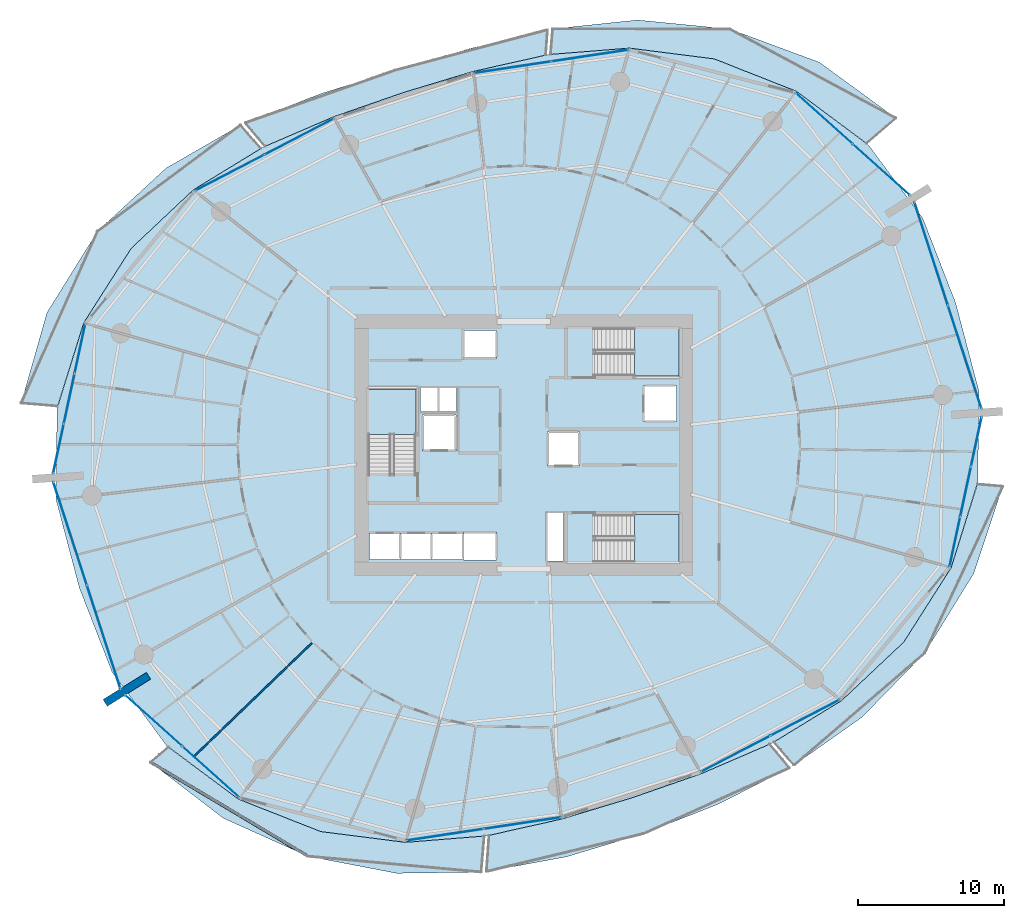
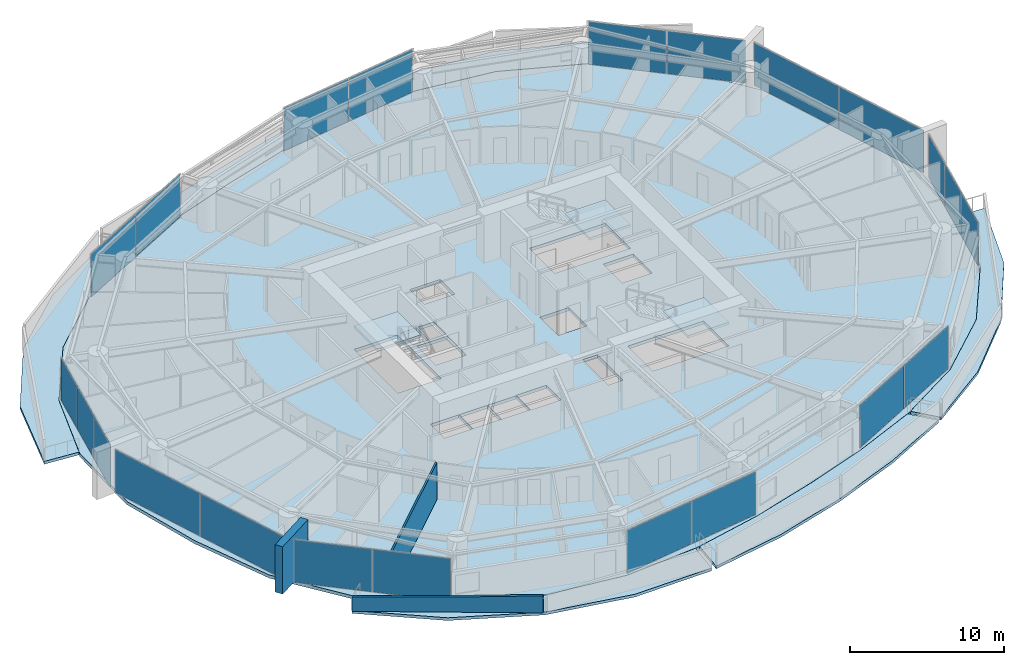
# One storey, part 18 of 31: 22 plates, 10 slabs, 3 walls, 13 elements without a shape of their own.
"""IFC4 building model written with IfcOpenShell, lengths in metres."""

from ifc_helpers import new_model, si_unit, direction, frame, frame_2d, origin, origin_2d, place, context, subcontext, project, spatial, polyline, rectangle, outline, extrude, material, layer, layer_set, type_object, element, aggregate, save


model = new_model("IFC4")

# Units and contexts
model_context = context("Model", 3, precision=1e-05, world=origin(), true_north=direction((0.0, 1.0)))
body_context = subcontext(model_context, "Body", "Model", "MODEL_VIEW")
ifc_project = project(units=[si_unit("LENGTHUNIT", "METRE"), si_unit("AREAUNIT", "SQUARE_METRE"), si_unit("VOLUMEUNIT", "CUBIC_METRE"), si_unit("PLANEANGLEUNIT", "RADIAN"), si_unit("MASSUNIT", "GRAM", prefix="KILO")], contexts=[model_context])

# Site, building, storey
site_placement = place(None, origin())
site = spatial("IfcSite", under=ifc_project, at=site_placement, CompositionType="ELEMENT")
building_placement = place(site_placement, origin())
building = spatial("IfcBuilding", under=site, at=building_placement, Name="Kazma Halo Residences", CompositionType="ELEMENT")
storey_placement = place(building_placement, frame((0.0, 0.0, 45.14990234375)))
storey = spatial("IfcBuildingStorey", under=building, at=storey_placement, Name="L10", CompositionType="ELEMENT", Elevation=45.14990234375)

# Curtain wall, plates
ifc_material_1 = material(Name="Aluminium AW-6063 T6 and Triple-Silver Low-E Glass", Category="aluminium")
ifc_layer_1 = layer(ifc_material_1, 0.159912109375)
ifc_layer_set_1 = layer_set([ifc_layer_1], Name="Aluminium AW-6063 T6 and Triple-Silver Low-E Glass")
curtain_wall_type = type_object("IfcCurtainWallType", Name="CW-SYS-2", PredefinedType="NOTDEFINED", material=ifc_layer_set_1)
curtain_wall_1_placement = place(storey_placement, origin())
curtain_wall_1 = element("IfcCurtainWall", 1, at=curtain_wall_1_placement, inside=storey, type_object=curtain_wall_type, Name="L10 unitised curtain wall B01", PredefinedType="NOTDEFINED")
ifc_material_2 = material(Name="Clear Triple-Silver Low-E Glass IGU", Category="glass")
ifc_layer_2 = layer(ifc_material_2, 0.028076171875)
ifc_layer_set_2 = layer_set([ifc_layer_2], Name="Clear Triple-Silver Low-E Glass IGU")
plate_type = type_object("IfcPlateType", Name="CW-SYS-2-PNL", PredefinedType="CURTAIN_PANEL", material=ifc_layer_set_2)
plate_1_placement = place(storey_placement, frame((72.876953125, 60.841064453125, 0.06005859375), z_axis=(0.0, 0.0, 1.0), x_axis=(-0.744321506993, 0.667821453854, 0.0)))
plate_1 = element("IfcPlate", 2, at=plate_1_placement, type_object=plate_type, Name="CWS-2 panel 1.1", PredefinedType="CURTAIN_PANEL", context=body_context, shape_type="SweptSolid", body=[
    extrude(rectangle(XDim=5.1787109375, YDim=0.028076171875, at=origin_2d()), origin(), (0.0, 0.0, 1.0), 3.3798828125),
])
plate_2_placement = place(storey_placement, frame((68.977783203125, 64.33935546875, 0.06005859375), z_axis=(0.0, 0.0, 1.0), x_axis=(-0.744321506993, 0.667821453854, 0.0)))
plate_2 = element("IfcPlate", 3, at=plate_2_placement, type_object=plate_type, Name="CWS-2 panel 2.1", PredefinedType="CURTAIN_PANEL", context=body_context, shape_type="SweptSolid", body=[
    extrude(rectangle(XDim=5.1787109375, YDim=0.028076171875, at=origin_2d()), origin(), (0.0, 0.0, 1.0), 3.3798828125),
])
aggregate(curtain_wall_1, [plate_1, plate_2])

curtain_wall_2_placement = place(storey_placement, origin())
curtain_wall_2 = element("IfcCurtainWall", 4, at=curtain_wall_2_placement, inside=storey, type_object=curtain_wall_type, Name="L10 unitised curtain wall B03", PredefinedType="NOTDEFINED")
plate_3_placement = place(storey_placement, frame((52.952392578125, 68.64013671875, 0.06005859375), z_axis=(0.0, 0.0, 1.0), x_axis=(-0.988888777994, -0.148657272805, 0.0)))
plate_3 = element("IfcPlate", 5, at=plate_3_placement, type_object=plate_type, Name="CWS-2 panel 1.1", PredefinedType="CURTAIN_PANEL", context=body_context, shape_type="SweptSolid", body=[
    extrude(rectangle(XDim=5.288818359375, YDim=0.028076171875, at=origin_2d()), origin(), (0.0, 0.0, 1.0), 3.3798828125),
])
plate_4_placement = place(storey_placement, frame((47.662841796875, 67.844970703125, 0.06005859375), z_axis=(0.0, 0.0, 1.0), x_axis=(-0.988888777994, -0.148657272805, 0.0)))
plate_4 = element("IfcPlate", 6, at=plate_4_placement, type_object=plate_type, Name="CWS-2 panel 2.1", PredefinedType="CURTAIN_PANEL", context=body_context, shape_type="SweptSolid", body=[
    extrude(rectangle(XDim=5.288818359375, YDim=0.028076171875, at=origin_2d()), origin(), (0.0, 0.0, 1.0), 3.3798828125),
])
aggregate(curtain_wall_2, [plate_3, plate_4])

curtain_wall_3_placement = place(storey_placement, origin())
curtain_wall_3 = element("IfcCurtainWall", 7, at=curtain_wall_3_placement, inside=storey, type_object=curtain_wall_type, Name="L10 unitised curtain wall B05", PredefinedType="NOTDEFINED")
plate_5_placement = place(storey_placement, frame((33.081298828125, 63.107177734375, 0.06005859375), z_axis=(0.0, 0.0, 1.0), x_axis=(-0.887402258584, -0.460995912628, 0.0)))
plate_5 = element("IfcPlate", 8, at=plate_5_placement, type_object=plate_type, Name="CWS-2 panel 1.1", PredefinedType="CURTAIN_PANEL", context=body_context, shape_type="SweptSolid", body=[
    extrude(rectangle(XDim=5.288818359375, YDim=0.028076171875, at=origin_2d()), origin(), (0.0, 0.0, 1.0), 3.3798828125),
])
plate_6_placement = place(storey_placement, frame((28.334716796875, 60.641357421875, 0.06005859375), z_axis=(0.0, 0.0, 1.0), x_axis=(-0.887402258584, -0.460995912628, 0.0)))
plate_6 = element("IfcPlate", 9, at=plate_6_placement, type_object=plate_type, Name="CWS-2 panel 2.1", PredefinedType="CURTAIN_PANEL", context=body_context, shape_type="SweptSolid", body=[
    extrude(rectangle(XDim=5.288818359375, YDim=0.028076171875, at=origin_2d()), origin(), (0.0, 0.0, 1.0), 3.3798828125),
])
aggregate(curtain_wall_3, [plate_5, plate_6])

curtain_wall_4_placement = place(storey_placement, origin())
curtain_wall_4 = element("IfcCurtainWall", 10, at=curtain_wall_4_placement, inside=storey, type_object=curtain_wall_type, Name="L10 unitised curtain wall B07", PredefinedType="NOTDEFINED")
plate_7_placement = place(storey_placement, frame((18.08203125, 48.60107421875, 0.06005859375), z_axis=(0.0, 0.0, 1.0), x_axis=(-0.209637321406, -0.977779215096, 0.0)))
plate_7 = element("IfcPlate", 11, at=plate_7_placement, type_object=plate_type, Name="CWS-2 panel 1.1", PredefinedType="CURTAIN_PANEL", context=body_context, shape_type="SweptSolid", body=[
    extrude(rectangle(XDim=3.42236328125, YDim=0.028076171875, at=origin_2d()), origin(), (0.0, 0.0, 1.0), 3.3798828125),
])
plate_8_placement = place(storey_placement, frame((17.348876953125, 45.181396484375, 0.06005859375), z_axis=(0.0, 0.0, 1.0), x_axis=(-0.209637321406, -0.977779215096, 0.0)))
plate_8 = element("IfcPlate", 12, at=plate_8_placement, type_object=plate_type, Name="CWS-2 panel 2.1", PredefinedType="CURTAIN_PANEL", context=body_context, shape_type="SweptSolid", body=[
    extrude(rectangle(XDim=3.452392578125, YDim=0.028076171875, at=origin_2d()), origin(), (0.0, 0.0, 1.0), 3.3798828125),
])
plate_9_placement = place(storey_placement, frame((16.61572265625, 41.76171875, 0.06005859375), z_axis=(0.0, 0.0, 1.0), x_axis=(-0.209637321406, -0.977779215096, 0.0)))
plate_9 = element("IfcPlate", 13, at=plate_9_placement, type_object=plate_type, Name="CWS-2 panel 3.1", PredefinedType="CURTAIN_PANEL", context=body_context, shape_type="SweptSolid", body=[
    extrude(rectangle(XDim=3.42236328125, YDim=0.028076171875, at=origin_2d()), origin(), (0.0, 0.0, 1.0), 3.3798828125),
])
aggregate(curtain_wall_4, [plate_7, plate_8, plate_9])

curtain_wall_5_placement = place(storey_placement, origin())
curtain_wall_5 = element("IfcCurtainWall", 14, at=curtain_wall_5_placement, inside=storey, type_object=curtain_wall_type, Name="L10 unitised curtain wall B08", PredefinedType="NOTDEFINED")
plate_10_placement = place(storey_placement, frame((17.409912109375, 35.96728515625, 0.06005859375), z_axis=(0.0, 0.0, 1.0), x_axis=(0.309016970539, -0.95105652404, 0.0)))
plate_10 = element("IfcPlate", 15, at=plate_10_placement, type_object=plate_type, Name="CWS-2 panel 1.1", PredefinedType="CURTAIN_PANEL", context=body_context, shape_type="SweptSolid", body=[
    extrude(rectangle(XDim=7.370849609375, YDim=0.028076171875, at=origin_2d()), origin(), (0.0, 0.0, 1.0), 3.3798828125),
])
plate_11_placement = place(storey_placement, frame((19.7060546875, 28.900146484375, 0.06005859375), z_axis=(0.0, 0.0, 1.0), x_axis=(0.309016970539, -0.95105652404, 0.0)))
plate_11 = element("IfcPlate", 16, at=plate_11_placement, type_object=plate_type, Name="CWS-2 panel 2.1", PredefinedType="CURTAIN_PANEL", context=body_context, shape_type="SweptSolid", body=[
    extrude(rectangle(XDim=7.370849609375, YDim=0.028076171875, at=origin_2d()), origin(), (0.0, 0.0, 1.0), 3.3798828125),
])
aggregate(curtain_wall_5, [plate_10, plate_11])

curtain_wall_6_placement = place(storey_placement, origin())
curtain_wall_6 = element("IfcCurtainWall", 17, at=curtain_wall_6_placement, inside=storey, type_object=curtain_wall_type, Name="L10 unitised curtain wall B09", PredefinedType="NOTDEFINED")
plate_12_placement = place(storey_placement, frame((23.123046875, 23.158935546875, 0.06005859375), z_axis=(0.0, 0.0, 1.0), x_axis=(0.744321506993, -0.667821453854, 0.0)))
plate_12 = element("IfcPlate", 18, at=plate_12_placement, type_object=plate_type, Name="CWS-2 panel 1.1", PredefinedType="CURTAIN_PANEL", context=body_context, shape_type="SweptSolid", body=[
    extrude(rectangle(XDim=5.1787109375, YDim=0.028076171875, at=origin_2d()), origin(), (0.0, 0.0, 1.0), 3.3798828125),
])
plate_13_placement = place(storey_placement, frame((27.022216796875, 19.66064453125, 0.06005859375), z_axis=(0.0, 0.0, 1.0), x_axis=(0.744321506993, -0.667821453854, 0.0)))
plate_13 = element("IfcPlate", 19, at=plate_13_placement, type_object=plate_type, Name="CWS-2 panel 2.1", PredefinedType="CURTAIN_PANEL", context=body_context, shape_type="SweptSolid", body=[
    extrude(rectangle(XDim=5.1787109375, YDim=0.028076171875, at=origin_2d()), origin(), (0.0, 0.0, 1.0), 3.3798828125),
])
aggregate(curtain_wall_6, [plate_12, plate_13])

curtain_wall_7_placement = place(storey_placement, origin())
curtain_wall_7 = element("IfcCurtainWall", 20, at=curtain_wall_7_placement, inside=storey, type_object=curtain_wall_type, Name="L10 unitised curtain wall B11", PredefinedType="NOTDEFINED")
plate_14_placement = place(storey_placement, frame((43.047607421875, 15.35986328125, 0.06005859375), z_axis=(0.0, 0.0, 1.0), x_axis=(0.988888777994, 0.148657272805, 0.0)))
plate_14 = element("IfcPlate", 21, at=plate_14_placement, type_object=plate_type, Name="CWS-2 panel 1.1", PredefinedType="CURTAIN_PANEL", context=body_context, shape_type="SweptSolid", body=[
    extrude(rectangle(XDim=5.288818359375, YDim=0.028076171875, at=origin_2d()), origin(), (0.0, 0.0, 1.0), 3.3798828125),
])
plate_15_placement = place(storey_placement, frame((48.337158203125, 16.155029296875, 0.06005859375), z_axis=(0.0, 0.0, 1.0), x_axis=(0.988888777994, 0.148657272805, 0.0)))
plate_15 = element("IfcPlate", 22, at=plate_15_placement, type_object=plate_type, Name="CWS-2 panel 2.1", PredefinedType="CURTAIN_PANEL", context=body_context, shape_type="SweptSolid", body=[
    extrude(rectangle(XDim=5.288818359375, YDim=0.028076171875, at=origin_2d()), origin(), (0.0, 0.0, 1.0), 3.3798828125),
])
aggregate(curtain_wall_7, [plate_14, plate_15])

curtain_wall_8_placement = place(storey_placement, origin())
curtain_wall_8 = element("IfcCurtainWall", 23, at=curtain_wall_8_placement, inside=storey, type_object=curtain_wall_type, Name="L10 unitised curtain wall B13", PredefinedType="NOTDEFINED")
plate_16_placement = place(storey_placement, frame((62.918701171875, 20.892822265625, 0.06005859375), z_axis=(0.0, 0.0, 1.0), x_axis=(0.887402258584, 0.460995912628, 0.0)))
plate_16 = element("IfcPlate", 24, at=plate_16_placement, type_object=plate_type, Name="CWS-2 panel 1.1", PredefinedType="CURTAIN_PANEL", context=body_context, shape_type="SweptSolid", body=[
    extrude(rectangle(XDim=5.288818359375, YDim=0.028076171875, at=origin_2d()), origin(), (0.0, 0.0, 1.0), 3.3798828125),
])
plate_17_placement = place(storey_placement, frame((67.665283203125, 23.358642578125, 0.06005859375), z_axis=(0.0, 0.0, 1.0), x_axis=(0.887402258584, 0.460995912628, 0.0)))
plate_17 = element("IfcPlate", 25, at=plate_17_placement, type_object=plate_type, Name="CWS-2 panel 2.1", PredefinedType="CURTAIN_PANEL", context=body_context, shape_type="SweptSolid", body=[
    extrude(rectangle(XDim=5.288818359375, YDim=0.028076171875, at=origin_2d()), origin(), (0.0, 0.0, 1.0), 3.3798828125),
])
aggregate(curtain_wall_8, [plate_16, plate_17])

curtain_wall_9_placement = place(storey_placement, origin())
curtain_wall_9 = element("IfcCurtainWall", 26, at=curtain_wall_9_placement, inside=storey, type_object=curtain_wall_type, Name="L10 unitised curtain wall B15", PredefinedType="NOTDEFINED")
plate_18_placement = place(storey_placement, frame((77.91796875, 35.39892578125, 0.06005859375), z_axis=(0.0, 0.0, 1.0), x_axis=(0.209637321406, 0.977779215096, 0.0)))
plate_18 = element("IfcPlate", 27, at=plate_18_placement, type_object=plate_type, Name="CWS-2 panel 1.1", PredefinedType="CURTAIN_PANEL", context=body_context, shape_type="SweptSolid", body=[
    extrude(rectangle(XDim=3.42236328125, YDim=0.028076171875, at=origin_2d()), origin(), (0.0, 0.0, 1.0), 3.3798828125),
])
plate_19_placement = place(storey_placement, frame((78.651123046875, 38.818603515625, 0.06005859375), z_axis=(0.0, 0.0, 1.0), x_axis=(0.209637321406, 0.977779215096, 0.0)))
plate_19 = element("IfcPlate", 28, at=plate_19_placement, type_object=plate_type, Name="CWS-2 panel 2.1", PredefinedType="CURTAIN_PANEL", context=body_context, shape_type="SweptSolid", body=[
    extrude(rectangle(XDim=3.452392578125, YDim=0.028076171875, at=origin_2d()), origin(), (0.0, 0.0, 1.0), 3.3798828125),
])
plate_20_placement = place(storey_placement, frame((79.38427734375, 42.23828125, 0.06005859375), z_axis=(0.0, 0.0, 1.0), x_axis=(0.209637321406, 0.977779215096, 0.0)))
plate_20 = element("IfcPlate", 29, at=plate_20_placement, type_object=plate_type, Name="CWS-2 panel 3.1", PredefinedType="CURTAIN_PANEL", context=body_context, shape_type="SweptSolid", body=[
    extrude(rectangle(XDim=3.42236328125, YDim=0.028076171875, at=origin_2d()), origin(), (0.0, 0.0, 1.0), 3.3798828125),
])
aggregate(curtain_wall_9, [plate_18, plate_19, plate_20])

curtain_wall_10_placement = place(storey_placement, origin())
curtain_wall_10 = element("IfcCurtainWall", 30, at=curtain_wall_10_placement, inside=storey, type_object=curtain_wall_type, Name="L10 unitised curtain wall B16", PredefinedType="NOTDEFINED")
plate_21_placement = place(storey_placement, frame((78.590087890625, 48.03271484375, 0.06005859375), z_axis=(0.0, 0.0, 1.0), x_axis=(-0.309016970539, 0.95105652404, 0.0)))
plate_21 = element("IfcPlate", 31, at=plate_21_placement, type_object=plate_type, Name="CWS-2 panel 1.1", PredefinedType="CURTAIN_PANEL", context=body_context, shape_type="SweptSolid", body=[
    extrude(rectangle(XDim=7.370849609375, YDim=0.028076171875, at=origin_2d()), origin(), (0.0, 0.0, 1.0), 3.3798828125),
])
plate_22_placement = place(storey_placement, frame((76.2939453125, 55.099853515625, 0.06005859375), z_axis=(0.0, 0.0, 1.0), x_axis=(-0.309016970539, 0.95105652404, 0.0)))
plate_22 = element("IfcPlate", 32, at=plate_22_placement, type_object=plate_type, Name="CWS-2 panel 2.1", PredefinedType="CURTAIN_PANEL", context=body_context, shape_type="SweptSolid", body=[
    extrude(rectangle(XDim=7.370849609375, YDim=0.028076171875, at=origin_2d()), origin(), (0.0, 0.0, 1.0), 3.3798828125),
])
aggregate(curtain_wall_10, [plate_21, plate_22])

# Slabs
ifc_material_3 = material(Name="White Concrete C50/60", Category="concrete")
ifc_layer_3 = layer(ifc_material_3, 0.219970703125)
ifc_layer_set_3 = layer_set([ifc_layer_3], Name="White Concrete C50/60")
slab_type_1 = type_object("IfcSlabType", Name="SLB-BAL-WAVE-210", PredefinedType="FLOOR", material=ifc_layer_set_3)
slab_1_placement = place(storey_placement, frame((0.0, 0.0, -0.219970703125)))
element("IfcSlab", 33, at=slab_1_placement, inside=storey, type_object=slab_type_1, Name="L10 NE cantilevered wave balcony slab", PredefinedType="FLOOR", context=body_context, shape_type="SweptSolid", body=[
    extrude(outline(polyline([(71.875732421875, 62.645263671875), (67.081298828125, 66.20458984375), (61.461669921875, 68.420166015625), (55.659912109375, 69.15966796875), (50.26806640625, 68.729736328125), (50.416015625, 70.47314453125), (56.20166015625, 71.081298828125), (62.50439453125, 70.466796875), (68.647705078125, 68.191650390625), (73.873779296875, 64.373291015625), (71.875732421875, 62.645263671875)])), origin(), (0.0, 0.0, 1.0), 0.219970703125),
])
slab_2_placement = place(storey_placement, frame((0.0, 0.0, -0.219970703125)))
element("IfcSlab", 34, at=slab_2_placement, inside=storey, type_object=slab_type_1, Name="L10 NNW cantilevered wave balcony slab", PredefinedType="FLOOR", context=body_context, shape_type="SweptSolid", body=[
    extrude(outline(polyline([(49.935791015625, 68.679931640625), (44.974365234375, 67.564208984375), (40.165771484375, 66.111083984375), (35.421630859375, 64.460205078125), (30.751708984375, 62.44677734375), (29.400390625, 64.048828125), (34.53759765625, 66.038818359375), (39.666015625, 67.649658203125), (44.78759765625, 69.14111328125), (50.06103515625, 70.406494140625), (49.935791015625, 68.679931640625)])), origin(), (0.0, 0.0, 1.0), 0.219970703125),
])
slab_3_placement = place(storey_placement, frame((0.0, 0.0, -0.219970703125)))
element("IfcSlab", 35, at=slab_3_placement, inside=storey, type_object=slab_type_1, Name="L10 NW cantilevered wave balcony slab", PredefinedType="FLOOR", context=body_context, shape_type="SweptSolid", body=[
    extrude(outline(polyline([(30.453857421875, 62.29150390625), (25.839111328125, 59.47021484375), (21.579833984375, 55.461669921875), (18.3359375, 50.3662109375), (16.54931640625, 44.668701171875), (14.06201171875, 44.879638671875), (15.82568359375, 51.07421875), (19.282470703125, 56.63232421875), (23.964599609375, 60.947998046875), (29.06689453125, 63.8955078125), (30.453857421875, 62.29150390625)])), origin(), (0.0, 0.0, 1.0), 0.219970703125),
])
slab_4_placement = place(storey_placement, frame((0.0, 0.0, -0.219970703125)))
element("IfcSlab", 36, at=slab_4_placement, inside=storey, type_object=slab_type_1, Name="L10 SW cantilevered wave balcony slab", PredefinedType="FLOOR", context=body_context, shape_type="SweptSolid", body=[
    extrude(outline(polyline([(24.124267578125, 21.354736328125), (28.918701171875, 17.79541015625), (34.538330078125, 15.579833984375), (40.340087890625, 14.84033203125), (45.73193359375, 15.270263671875), (45.52294921875, 12.8076171875), (39.7431640625, 12.723388671875), (33.676025390625, 13.8876953125), (27.887451171875, 16.4873046875), (22.91259765625, 20.306884765625), (24.124267578125, 21.354736328125)])), origin(), (0.0, 0.0, 1.0), 0.219970703125),
])
slab_5_placement = place(storey_placement, frame((0.0, 0.0, -0.219970703125)))
element("IfcSlab", 37, at=slab_5_placement, inside=storey, type_object=slab_type_1, Name="L10 SSE cantilevered wave balcony slab", PredefinedType="FLOOR", context=body_context, shape_type="SweptSolid", body=[
    extrude(outline(polyline([(46.064208984375, 15.320068359375), (51.025634765625, 16.435791015625), (55.834228515625, 17.888916015625), (60.578369140625, 19.539794921875), (65.248291015625, 21.55322265625), (66.612060546875, 19.9365234375), (61.74462890625, 17.45703125), (56.631103515625, 15.4365234375), (51.332275390625, 13.845947265625), (45.884765625, 12.8466796875), (46.064208984375, 15.320068359375)])), origin(), (0.0, 0.0, 1.0), 0.219970703125),
])
slab_6_placement = place(storey_placement, frame((0.0, 0.0, -0.219970703125)))
element("IfcSlab", 38, at=slab_6_placement, inside=storey, type_object=slab_type_1, Name="L10 SE cantilevered wave balcony slab", PredefinedType="FLOOR", context=body_context, shape_type="SweptSolid", body=[
    extrude(outline(polyline([(65.546142578125, 21.70849609375), (70.160888671875, 24.52978515625), (74.420166015625, 28.538330078125), (77.6640625, 33.6337890625), (79.45068359375, 39.331298828125), (81.19189453125, 39.18359375), (79.1923828125, 33.202880859375), (75.861328125, 27.803955078125), (71.58154296875, 23.40966796875), (66.92041015625, 20.118896484375), (65.546142578125, 21.70849609375)])), origin(), (0.0, 0.0, 1.0), 0.219970703125),
])
ifc_material_4 = material(Name="Concrete C50/60", Category="concrete")
ifc_layer_4 = layer(ifc_material_4, 0.25)
ifc_layer_set_4 = layer_set([ifc_layer_4], Name="Concrete C50/60")
slab_type_2 = type_object("IfcSlabType", Name="SLB-RES-250", PredefinedType="FLOOR", material=ifc_layer_set_4)
slab_7_placement = place(storey_placement, frame((0.0, 0.0, -0.25)))
element("IfcSlab", 39, at=slab_7_placement, inside=storey, type_object=slab_type_2, Name="L10 structural floor slab", PredefinedType="FLOOR", context=body_context, shape_type="SweptSolid", body=[
    extrude(outline(polyline([(77.9677734375, 51.737060546875), (75.719970703125, 57.52392578125), (72.02099609375, 62.51611328125), (67.080078125, 66.202880859375), (61.460693359375, 68.418212890625), (55.6591796875, 69.15771484375), (50.102294921875, 68.713134765625), (44.974609375, 67.562255859375), (40.16650390625, 66.109375), (35.422607421875, 64.45849609375), (30.597412109375, 62.375732421875), (25.8408203125, 59.468994140625), (21.581787109375, 55.460693359375), (18.337890625, 50.365478515625), (16.507568359375, 44.478515625), (16.449462890625, 38.265625), (18.0322265625, 32.262939453125), (20.280029296875, 26.47607421875), (23.97900390625, 21.48388671875), (28.919921875, 17.797119140625), (34.539306640625, 15.581787109375), (40.3408203125, 14.84228515625), (45.897705078125, 15.286865234375), (51.025390625, 16.437744140625), (55.83349609375, 17.890625), (60.577392578125, 19.54150390625), (65.402587890625, 21.624267578125), (70.1591796875, 24.531005859375), (74.418212890625, 28.539306640625), (77.662109375, 33.634521484375), (79.492431640625, 39.521484375), (79.550537109375, 45.734375), (77.9677734375, 51.737060546875)]), holes=[polyline([(37.800048828125, 40.110107421875), (41.050048828125, 40.110107421875), (41.050048828125, 45.800048828125), (37.800048828125, 45.800048828125), (37.800048828125, 40.110107421875)]), polyline([(53.360107421875, 46.75), (59.050048828125, 46.75), (59.050048828125, 50.0), (53.360107421875, 50.0), (53.360107421875, 46.75)]), polyline([(53.360107421875, 34.0), (59.050048828125, 34.0), (59.050048828125, 37.25), (53.360107421875, 37.25), (53.360107421875, 34.0)]), polyline([(41.52001953125, 41.6201171875), (43.780029296875, 41.6201171875), (43.780029296875, 44.080078125), (41.52001953125, 44.080078125), (41.52001953125, 41.6201171875)]), polyline([(56.6201171875, 43.6201171875), (58.8798828125, 43.6201171875), (58.8798828125, 46.080078125), (56.6201171875, 46.080078125), (56.6201171875, 43.6201171875)]), polyline([(37.864990234375, 34.195068359375), (39.97509765625, 34.195068359375), (39.97509765625, 36.0048828125), (37.864990234375, 36.0048828125), (37.864990234375, 34.195068359375)]), polyline([(40.014892578125, 34.195068359375), (42.125, 34.195068359375), (42.125, 36.0048828125), (40.014892578125, 36.0048828125), (40.014892578125, 34.195068359375)]), polyline([(42.1650390625, 34.195068359375), (44.27490234375, 34.195068359375), (44.27490234375, 36.0048828125), (42.1650390625, 36.0048828125), (42.1650390625, 34.195068359375)]), polyline([(44.320068359375, 47.945068359375), (46.580078125, 47.945068359375), (46.580078125, 49.85498046875), (44.320068359375, 49.85498046875), (44.320068359375, 47.945068359375)]), polyline([(44.320068359375, 34.14501953125), (46.580078125, 34.14501953125), (46.580078125, 36.054931640625), (44.320068359375, 36.054931640625), (44.320068359375, 34.14501953125)]), polyline([(50.070068359375, 40.570068359375), (52.22998046875, 40.570068359375), (52.22998046875, 42.929931640625), (50.070068359375, 42.929931640625), (50.070068359375, 40.570068359375)]), polyline([(41.360107421875, 44.340087890625), (42.5400390625, 44.340087890625), (42.5400390625, 45.89990234375), (41.360107421875, 45.89990234375), (41.360107421875, 44.340087890625)]), polyline([(42.659912109375, 44.340087890625), (43.840087890625, 44.340087890625), (43.840087890625, 45.89990234375), (42.659912109375, 45.89990234375), (42.659912109375, 44.340087890625)]), polyline([(50.06005859375, 34.080078125), (51.159912109375, 34.080078125), (51.159912109375, 37.3798828125), (50.06005859375, 37.3798828125), (50.06005859375, 34.080078125)])]), origin(), (0.0, 0.0, 1.0), 0.25),
])

# Stair, slab
stair_type = type_object("IfcStairType", Name="STR-RES1", PredefinedType="HALF_TURN_STAIR", material=ifc_material_4)
stair_1_placement = place(storey_placement, origin())
stair_1 = element("IfcStair", 40, at=stair_1_placement, inside=storey, type_object=stair_type, Name="L10 Core exit stair ST-01", PredefinedType="HALF_TURN_STAIR")
ifc_layer_5 = layer(ifc_material_4, 0.199951171875)
ifc_layer_set_5 = layer_set([ifc_layer_5], Name="Concrete C50/60")
slab_type_3 = type_object("IfcSlabType", Name="SLB-STAIR-LND-200", PredefinedType="LANDING", material=ifc_layer_set_5)
slab_8_placement = place(storey_placement, frame((0.0, 0.0, 1.675048828125)))
slab_8 = element("IfcSlab", 41, at=slab_8_placement, type_object=slab_type_3, Name="ST-01 landing 1", PredefinedType="LANDING", context=body_context, shape_type="SweptSolid", body=[
    extrude(outline(polyline([(41.050048828125, 42.75), (41.050048828125, 45.800048828125), (37.800048828125, 45.800048828125), (37.800048828125, 42.75), (41.050048828125, 42.75)])), origin(), (0.0, 0.0, 1.0), 0.199951171875),
])
aggregate(stair_1, [slab_8])

stair_2_placement = place(storey_placement, origin())
stair_2 = element("IfcStair", 42, at=stair_2_placement, inside=storey, type_object=stair_type, Name="L10 Core exit stair ST-02", PredefinedType="HALF_TURN_STAIR")
slab_9_placement = place(storey_placement, frame((0.0, 0.0, 1.675048828125)))
slab_9 = element("IfcSlab", 43, at=slab_9_placement, type_object=slab_type_3, Name="ST-02 landing 1", PredefinedType="LANDING", context=body_context, shape_type="SweptSolid", body=[
    extrude(outline(polyline([(56.0, 46.75), (59.050048828125, 46.75), (59.050048828125, 50.0), (56.0, 50.0), (56.0, 46.75)])), origin(), (0.0, 0.0, 1.0), 0.199951171875),
])
aggregate(stair_2, [slab_9])

stair_3_placement = place(storey_placement, origin())
stair_3 = element("IfcStair", 44, at=stair_3_placement, inside=storey, type_object=stair_type, Name="L10 Core exit stair ST-03", PredefinedType="HALF_TURN_STAIR")
slab_10_placement = place(storey_placement, frame((0.0, 0.0, 1.675048828125)))
slab_10 = element("IfcSlab", 45, at=slab_10_placement, type_object=slab_type_3, Name="ST-03 landing 1", PredefinedType="LANDING", context=body_context, shape_type="SweptSolid", body=[
    extrude(outline(polyline([(56.0, 34.0), (59.050048828125, 34.0), (59.050048828125, 37.25), (56.0, 37.25), (56.0, 34.0)])), origin(), (0.0, 0.0, 1.0), 0.199951171875),
])
aggregate(stair_3, [slab_10])

# Walls
ifc_material_5 = material(Name="White Concrete C50/60 Balustrade", Category="concrete")
ifc_layer_6 = layer(ifc_material_5, 0.179931640625)
ifc_layer_set_6 = layer_set([ifc_layer_6], Name="White Concrete C50/60 Balustrade")
wall_type_1 = type_object("IfcWallType", Name="WL-BAL-WAVE-180", PredefinedType="PARAPET", material=ifc_layer_set_6)
wall_1_placement = place(storey_placement, frame((22.91259765625, 20.306884765625, 0.0), z_axis=(0.0, 0.0, 1.0), x_axis=(0.858860948387, -0.512208816144, 0.0)))
element("IfcWall", 46, at=wall_1_placement, inside=storey, type_object=wall_type_1, Name="L10 white wave balustrade wall SW.1", PredefinedType="PARAPET", context=body_context, shape_type="SweptSolid", body=[
    extrude(outline(polyline([(0.0, 0.0), (12.412353515625, 0.0), (12.412109375, 1.34814453125), (6.2060546875, 1.18212890625), (0.0, 1.1201171875), (0.0, 0.0)])), frame((0.0, 0.08984375, 0.0), z_axis=(0.0, -1.0, 0.0), x_axis=(1.0, 0.0, 0.0)), (0.0, 0.0, 1.0), 0.179931640625),
])
ifc_material_6 = material(Name="Pale Concrete C60/75", Category="concrete")
ifc_layer_7 = layer(ifc_material_6, 0.550048828125)
ifc_layer_set_7 = layer_set([ifc_layer_7], Name="Pale Concrete C60/75")
wall_type_2 = type_object("IfcWallType", Name="WL-BLADE-550", PredefinedType="SOLIDWALL", material=ifc_layer_set_7)
wall_2_placement = place(storey_placement, frame((22.770263671875, 26.234619140625, 0.0), z_axis=(0.0, 0.0, 1.0), x_axis=(-0.848053161125, -0.529911158502, 0.0)))
element("IfcWall", 47, at=wall_2_placement, inside=storey, type_object=wall_type_2, Name="L10 pale concrete structural blade fin wall BW-03", PredefinedType="SOLIDWALL", context=body_context, shape_type="SweptSolid", body=[
    extrude(rectangle(XDim=3.5, YDim=0.550048828125, at=frame_2d((1.75, 0.0))), origin(), (0.0, 0.0, 1.0), 3.75),
])
ifc_material_7 = material(Name="Gypsum Plasterboard Partition")
ifc_layer_8 = layer(ifc_material_7, 0.125)
ifc_layer_set_8 = layer_set([ifc_layer_8], Name="Gypsum Plasterboard Partition")
wall_type_3 = type_object("IfcWallType", Name="WL-PART-125", PredefinedType="PARTITIONING", material=ifc_layer_set_8)
wall_3_placement = place(storey_placement, frame((33.9306640625, 28.46337890625, 0.0), z_axis=(0.0, 0.0, 1.0), x_axis=(-0.720612963669, -0.693337548812, 0.0)))
element("IfcWall", 48, at=wall_3_placement, inside=storey, type_object=wall_type_3, Name="L10 Apartment 2 suite divider 8", PredefinedType="PARTITIONING", context=body_context, shape_type="SweptSolid", body=[
    extrude(rectangle(XDim=11.170654296875, YDim=0.125, at=frame_2d((5.58544921875, 0.0))), origin(), (0.0, 0.0, 1.0), 2.940185546875),
])

save(model, "model.ifc")
